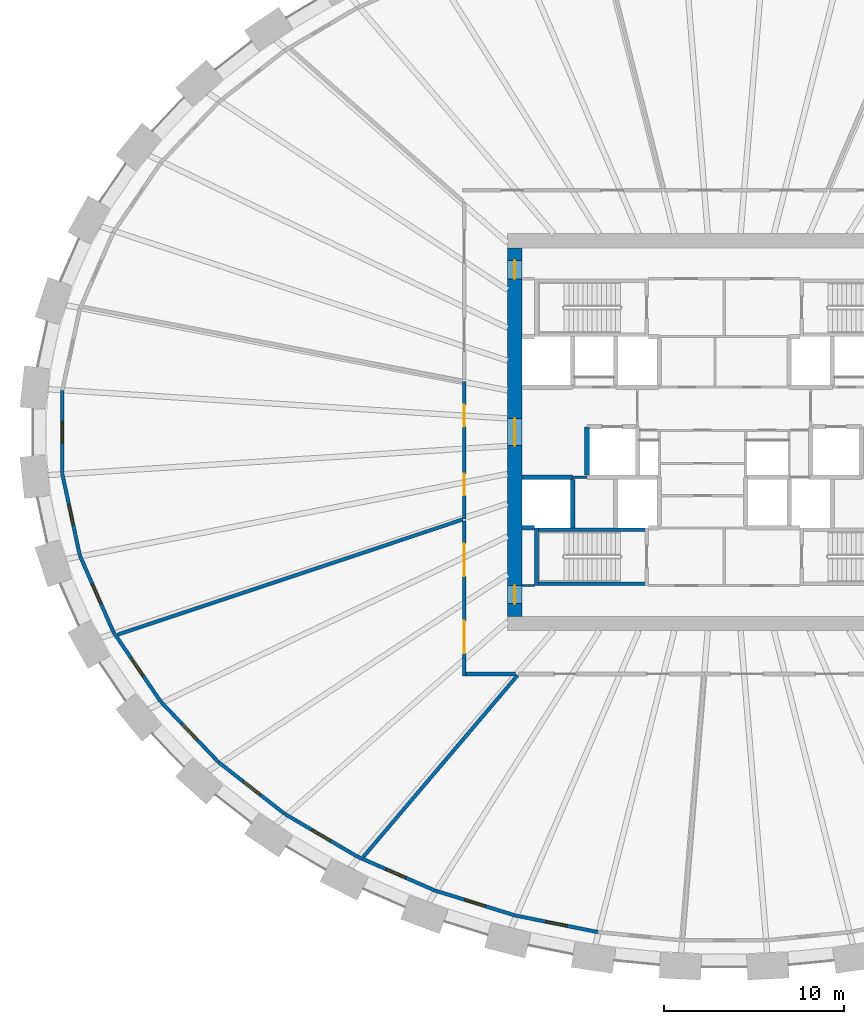
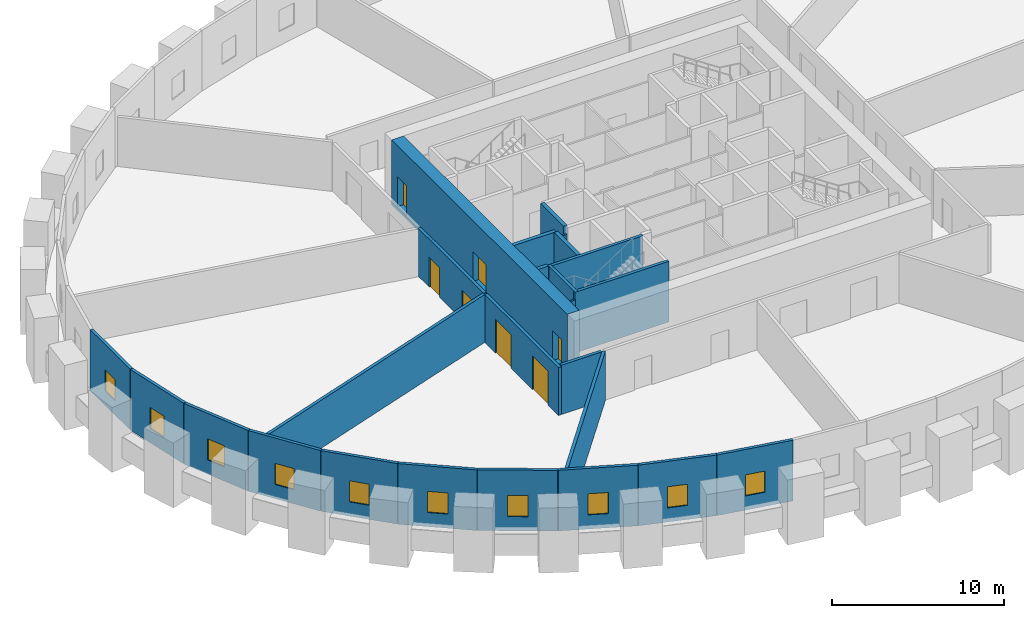
# One storey, part 3 of 9: 25 walls, 10 windows, 7 doors, 17 openings.
"""IFC4 building model written with IfcOpenShell, lengths in metres."""

from ifc_helpers import new_model, si_unit, direction, frame, frame_2d, origin, place, context, subcontext, project, spatial, rectangle, extrude, source, transform, mapped, material, layer, layer_set, type_object, element, fill, save


model = new_model("IFC4")

# Units and contexts
model_context = context("Model", 3, precision=1e-05, world=origin(), true_north=direction((0.0, 1.0)))
body_context = subcontext(model_context, "Body", "Model", "MODEL_VIEW")
ifc_project = project(units=[si_unit("LENGTHUNIT", "METRE"), si_unit("AREAUNIT", "SQUARE_METRE"), si_unit("VOLUMEUNIT", "CUBIC_METRE"), si_unit("PLANEANGLEUNIT", "RADIAN"), si_unit("MASSUNIT", "GRAM", prefix="KILO")], contexts=[model_context])

# Site, building, storey
site_placement = place(None, origin())
site = spatial("IfcSite", under=ifc_project, at=site_placement, CompositionType="ELEMENT")
building_placement = place(site_placement, origin())
building = spatial("IfcBuilding", under=site, at=building_placement, Name="Embergate Tower", CompositionType="ELEMENT")
storey_placement = place(building_placement, frame((0.0, 0.0, 147.60009765625)))
storey = spatial("IfcBuildingStorey", under=building, at=storey_placement, Name="L32", CompositionType="ELEMENT", Elevation=147.60009765625)

# Wall, openings, doors
ifc_material_1 = material(Name="Concrete C70", Category="concrete")
ifc_layer_1 = layer(ifc_material_1, 0.800048828125)
ifc_layer_set_1 = layer_set([ifc_layer_1], Name="Concrete C70")
wall_type_1 = type_object("IfcWallType", Name="Core outer wall C70 800", PredefinedType="SHEAR", material=ifc_layer_set_1)
shared_shape_1 = source(origin(), body_context, "Body", "SweptSolid", [
    extrude(rectangle(XDim=20.39990234375, YDim=0.800048828125, at=frame_2d((10.199951171875, 0.0))), origin(), (0.0, 0.0, 1.0), 4.599853515625),
])
wall_1_placement = place(storey_placement, frame((-11.60009765625, -10.199951171875, -0.300048828125), z_axis=(0.0, 0.0, 1.0), x_axis=(0.0, 1.0, 0.0)))
wall_1 = element("IfcWall", 1, at=wall_1_placement, inside=storey, type_object=wall_type_1, Name="CW-L32-W", PredefinedType="SHEAR", context=body_context, shape_type="MappedRepresentation", body=[
    mapped(shared_shape_1, transform((0.0, 0.0, 0.0))),
])
shared_shape_2 = source(origin(), body_context, "Body", "SweptSolid", [
    extrude(rectangle(XDim=1.0, YDim=2.10009765625, at=frame_2d((0.5, 1.050048828125))), frame((0.0, 0.409912109375, 0.0), z_axis=(0.0, -1.0, 0.0), x_axis=(1.0, 0.0, 0.0)), (0.0, 0.0, 1.0), 0.820068359375),
])
opening_1_placement = place(wall_1_placement, frame((18.699951171875, 0.0, 0.300048828125)))
opening_1 = element("IfcOpeningElement", 2, at=opening_1_placement, cuts=wall_1, Name="Opening IF-1d", PredefinedType="OPENING", context=body_context, shape_type="MappedRepresentation", body=[
    mapped(shared_shape_2, transform((0.0, 0.0, 0.0))),
])
opening_2_placement = place(wall_1_placement, frame((0.699951171875, 0.0, 0.300048828125)))
opening_2 = element("IfcOpeningElement", 3, at=opening_2_placement, cuts=wall_1, Name="Opening IF-1d", PredefinedType="OPENING", context=body_context, shape_type="MappedRepresentation", body=[
    mapped(shared_shape_2, transform((0.0, 0.0, 0.0))),
])
shared_shape_3 = source(origin(), body_context, "Body", "SweptSolid", [
    extrude(rectangle(XDim=1.5, YDim=2.10009765625, at=frame_2d((0.75, 1.050048828125))), frame((0.0, 0.409912109375, 0.0), z_axis=(0.0, -1.0, 0.0), x_axis=(1.0, 0.0, 0.0)), (0.0, 0.0, 1.0), 0.820068359375),
])
opening_3_placement = place(wall_1_placement, frame((9.449951171875, 0.0, 0.300048828125)))
opening_3 = element("IfcOpeningElement", 4, at=opening_3_placement, cuts=wall_1, Name="Opening IF-3", PredefinedType="OPENING", context=body_context, shape_type="MappedRepresentation", body=[
    mapped(shared_shape_3, transform((0.0, 0.0, 0.0))),
])
ifc_material_2 = material(Name="Lobby fire door pair 1500")
door_type_1 = type_object("IfcDoorType", Name="Lobby fire door pair 1500", OperationType="DOUBLE_DOOR_SINGLE_SWING", PredefinedType="DOOR", material=ifc_material_2)
shared_shape_4 = source(origin(), body_context, "Body", "SweptSolid", [
    extrude(rectangle(XDim=1.5, YDim=2.10009765625, at=frame_2d((0.75, 1.050048828125))), frame((0.0, 0.02490234375, 0.0), z_axis=(0.0, -1.0, 0.0), x_axis=(1.0, 0.0, 0.0)), (0.0, 0.0, 1.0), 0.050048828125),
])
door_1_placement = place(opening_3_placement, origin())
door_1 = element("IfcDoor", 5, at=door_1_placement, inside=storey, type_object=door_type_1, Name="IF-3 door", OperationType="DOUBLE_DOOR_SINGLE_SWING", OverallHeight=2.10009765625, OverallWidth=1.5, PredefinedType="DOOR", context=body_context, shape_type="MappedRepresentation", body=[
    mapped(shared_shape_4, transform((0.0, 0.0, 0.0))),
])
fill(opening_3, door_1)
ifc_material_3 = material(Name="Escape fire door 1000")
door_type_2 = type_object("IfcDoorType", Name="Escape fire door 1000", OperationType="SINGLE_SWING_LEFT", PredefinedType="DOOR", material=ifc_material_3)
shared_shape_5 = source(origin(), body_context, "Body", "SweptSolid", [
    extrude(rectangle(XDim=1.0, YDim=2.10009765625, at=frame_2d((0.5, 1.050048828125))), frame((0.0, 0.02490234375, 0.0), z_axis=(0.0, -1.0, 0.0), x_axis=(1.0, 0.0, 0.0)), (0.0, 0.0, 1.0), 0.050048828125),
])
door_2_placement = place(opening_1_placement, origin())
door_2 = element("IfcDoor", 6, at=door_2_placement, inside=storey, type_object=door_type_2, Name="IF-1 door", OperationType="SINGLE_SWING_RIGHT", OverallHeight=2.10009765625, OverallWidth=1.0, PredefinedType="DOOR", context=body_context, shape_type="MappedRepresentation", body=[
    mapped(shared_shape_5, transform((0.0, 0.0, 0.0))),
])
fill(opening_1, door_2)
door_3_placement = place(opening_2_placement, origin())
door_3 = element("IfcDoor", 7, at=door_3_placement, inside=storey, type_object=door_type_2, Name="IF-1 door", OperationType="SINGLE_SWING_RIGHT", OverallHeight=2.10009765625, OverallWidth=1.0, PredefinedType="DOOR", context=body_context, shape_type="MappedRepresentation", body=[
    mapped(shared_shape_5, transform((0.0, 0.0, 0.0))),
])
fill(opening_2, door_3)

# Wall, opening, window
ifc_material_4 = material(Name="Terracotta louvre cladding on insulated backing", Category="masonry")
ifc_layer_2 = layer(ifc_material_4, 0.199951171875)
ifc_layer_set_2 = layer_set([ifc_layer_2], Name="Terracotta louvre cladding on insulated backing")
wall_type_2 = type_object("IfcWallType", Name="Terracotta louvre wall", PredefinedType="SOLIDWALL", material=ifc_layer_set_2)
shared_shape_6 = source(origin(), body_context, "Body", "SweptSolid", [
    extrude(rectangle(XDim=4.60693359375, YDim=0.199951171875, at=frame_2d((2.303466796875, 0.0))), origin(), (0.0, 0.0, 1.0), 4.2998046875),
])
wall_2_placement = place(storey_placement, frame((-35.70166015625, -6.825927734375, 0.0), z_axis=(0.0, 0.0, 1.0), x_axis=(-0.210383104488, 0.977619020552, 0.0)))
wall_2 = element("IfcWall", 8, at=wall_2_placement, inside=storey, type_object=wall_type_2, Name="Louvre wall 23", PredefinedType="SOLIDWALL", context=body_context, shape_type="MappedRepresentation", body=[
    mapped(shared_shape_6, transform((0.0, 0.0, 0.0))),
])
shared_shape_7 = source(origin(), body_context, "Body", "SweptSolid", [
    extrude(rectangle(XDim=1.199951171875, YDim=1.5, at=frame_2d((0.60009765625, 0.75))), frame((0.0, 0.10986328125, 0.0), z_axis=(0.0, -1.0, 0.0), x_axis=(1.0, 0.0, 0.0)), (0.0, 0.0, 1.0), 0.219970703125),
])
opening_4_placement = place(wall_2_placement, frame((1.70361328125, 0.0, 1.0)))
opening_4 = element("IfcOpeningElement", 9, at=opening_4_placement, cuts=wall_2, Name="Opening RW", PredefinedType="OPENING", context=body_context, shape_type="MappedRepresentation", body=[
    mapped(shared_shape_7, transform((0.0, 0.0, 0.0))),
])
ifc_material_5 = material(Name="Aluminium, thermally broken, triple glazed", Category="aluminium")
window_type = type_object("IfcWindowType", Name="Refuge operable window", PartitioningType="SINGLE_PANEL", PredefinedType="WINDOW", material=ifc_material_5)
shared_shape_8 = source(origin(), body_context, "Body", "SweptSolid", [
    extrude(rectangle(XDim=1.199951171875, YDim=1.5, at=frame_2d((0.60009765625, 0.75))), frame((0.0, 0.030029296875, 0.0), z_axis=(0.0, -1.0, 0.0), x_axis=(1.0, 0.0, 0.0)), (0.0, 0.0, 1.0), 0.06005859375),
])
window_1_placement = place(opening_4_placement, origin())
window_1 = element("IfcWindow", 10, at=window_1_placement, inside=storey, type_object=window_type, Name="Refuge window 23", OverallHeight=1.5, OverallWidth=1.199951171875, PartitioningType="SINGLE_PANEL", PredefinedType="WINDOW", context=body_context, shape_type="MappedRepresentation", body=[
    mapped(shared_shape_8, transform((0.0, 0.0, 0.0))),
])
fill(opening_4, window_1)

shared_shape_9 = source(origin(), body_context, "Body", "SweptSolid", [
    extrude(rectangle(XDim=4.6142578125, YDim=0.199951171875, at=frame_2d((2.30712890625, 0.0))), origin(), (0.0, 0.0, 1.0), 4.2998046875),
])
wall_3_placement = place(storey_placement, frame((-33.84228515625, -11.07080078125, 0.0), z_axis=(0.0, 0.0, 1.0), x_axis=(-0.40163191284, 0.915801182893, 0.0)))
wall_3 = element("IfcWall", 11, at=wall_3_placement, inside=storey, type_object=wall_type_2, Name="Louvre wall 24", PredefinedType="SOLIDWALL", context=body_context, shape_type="MappedRepresentation", body=[
    mapped(shared_shape_9, transform((0.0, 0.0, 0.0))),
])
opening_5_placement = place(wall_3_placement, frame((1.70703125, 0.0, 1.0)))
opening_5 = element("IfcOpeningElement", 12, at=opening_5_placement, cuts=wall_3, Name="Opening RW", PredefinedType="OPENING", context=body_context, shape_type="MappedRepresentation", body=[
    mapped(shared_shape_7, transform((0.0, 0.0, 0.0))),
])
window_2_placement = place(opening_5_placement, origin())
window_2 = element("IfcWindow", 13, at=window_2_placement, inside=storey, type_object=window_type, Name="Refuge window 24", OverallHeight=1.5, OverallWidth=1.199951171875, PartitioningType="SINGLE_PANEL", PredefinedType="WINDOW", context=body_context, shape_type="MappedRepresentation", body=[
    mapped(shared_shape_8, transform((0.0, 0.0, 0.0))),
])
fill(opening_5, window_2)

shared_shape_10 = source(origin(), body_context, "Body", "SweptSolid", [
    extrude(rectangle(XDim=4.623291015625, YDim=0.199951171875, at=frame_2d((2.3115234375, 0.0))), origin(), (0.0, 0.0, 1.0), 4.2998046875),
])
wall_4_placement = place(storey_placement, frame((-31.232666015625, -14.9111328125, 0.0), z_axis=(0.0, 0.0, 1.0), x_axis=(-0.562341797636, 0.826904893341, 0.0)))
wall_4 = element("IfcWall", 14, at=wall_4_placement, inside=storey, type_object=wall_type_2, Name="Louvre wall 25", PredefinedType="SOLIDWALL", context=body_context, shape_type="MappedRepresentation", body=[
    mapped(shared_shape_10, transform((0.0, 0.0, 0.0))),
])
opening_6_placement = place(wall_4_placement, frame((1.711669921875, 0.0, 1.0)))
opening_6 = element("IfcOpeningElement", 15, at=opening_6_placement, cuts=wall_4, Name="Opening RW", PredefinedType="OPENING", context=body_context, shape_type="MappedRepresentation", body=[
    mapped(shared_shape_7, transform((0.0, 0.0, 0.0))),
])
window_3_placement = place(opening_6_placement, origin())
window_3 = element("IfcWindow", 16, at=window_3_placement, inside=storey, type_object=window_type, Name="Refuge window 25", OverallHeight=1.5, OverallWidth=1.199951171875, PartitioningType="SINGLE_PANEL", PredefinedType="WINDOW", context=body_context, shape_type="MappedRepresentation", body=[
    mapped(shared_shape_8, transform((0.0, 0.0, 0.0))),
])
fill(opening_6, window_3)

shared_shape_11 = source(origin(), body_context, "Body", "SweptSolid", [
    extrude(rectangle(XDim=4.63232421875, YDim=0.199951171875, at=frame_2d((2.316162109375, 0.0))), origin(), (0.0, 0.0, 1.0), 4.2998046875),
])
wall_5_placement = place(storey_placement, frame((-28.023193359375, -18.27880859375, 0.0), z_axis=(0.0, 0.0, 1.0), x_axis=(-0.690148517333, 0.723667758037, 0.0)))
wall_5 = element("IfcWall", 17, at=wall_5_placement, inside=storey, type_object=wall_type_2, Name="Louvre wall 26", PredefinedType="SOLIDWALL", context=body_context, shape_type="MappedRepresentation", body=[
    mapped(shared_shape_11, transform((0.0, 0.0, 0.0))),
])
opening_7_placement = place(wall_5_placement, frame((1.716064453125, 0.0, 1.0)))
opening_7 = element("IfcOpeningElement", 18, at=opening_7_placement, cuts=wall_5, Name="Opening RW", PredefinedType="OPENING", context=body_context, shape_type="MappedRepresentation", body=[
    mapped(shared_shape_7, transform((0.0, 0.0, 0.0))),
])
window_4_placement = place(opening_7_placement, origin())
window_4 = element("IfcWindow", 19, at=window_4_placement, inside=storey, type_object=window_type, Name="Refuge window 26", OverallHeight=1.5, OverallWidth=1.199951171875, PartitioningType="SINGLE_PANEL", PredefinedType="WINDOW", context=body_context, shape_type="MappedRepresentation", body=[
    mapped(shared_shape_8, transform((0.0, 0.0, 0.0))),
])
fill(opening_7, window_4)

shared_shape_12 = source(origin(), body_context, "Body", "SweptSolid", [
    extrude(rectangle(XDim=4.639892578125, YDim=0.199951171875, at=frame_2d((2.31982421875, 0.0))), origin(), (0.0, 0.0, 1.0), 4.2998046875),
])
wall_6_placement = place(storey_placement, frame((-24.350830078125, -21.14697265625, 0.0), z_axis=(0.0, 0.0, 1.0), x_axis=(-0.788322630582, 0.615262082459, 0.0)))
wall_6 = element("IfcWall", 20, at=wall_6_placement, inside=storey, type_object=wall_type_2, Name="Louvre wall 27", PredefinedType="SOLIDWALL", context=body_context, shape_type="MappedRepresentation", body=[
    mapped(shared_shape_12, transform((0.0, 0.0, 0.0))),
])
opening_8_placement = place(wall_6_placement, frame((1.719970703125, 0.0, 1.0)))
opening_8 = element("IfcOpeningElement", 21, at=opening_8_placement, cuts=wall_6, Name="Opening RW", PredefinedType="OPENING", context=body_context, shape_type="MappedRepresentation", body=[
    mapped(shared_shape_7, transform((0.0, 0.0, 0.0))),
])
window_5_placement = place(opening_8_placement, origin())
window_5 = element("IfcWindow", 22, at=window_5_placement, inside=storey, type_object=window_type, Name="Refuge window 27", OverallHeight=1.5, OverallWidth=1.199951171875, PartitioningType="SINGLE_PANEL", PredefinedType="WINDOW", context=body_context, shape_type="MappedRepresentation", body=[
    mapped(shared_shape_8, transform((0.0, 0.0, 0.0))),
])
fill(opening_8, window_5)

shared_shape_13 = source(origin(), body_context, "Body", "SweptSolid", [
    extrude(rectangle(XDim=4.64599609375, YDim=0.199951171875, at=frame_2d((2.322998046875, 0.0))), origin(), (0.0, 0.0, 1.0), 4.2998046875),
])
wall_7_placement = place(storey_placement, frame((-20.329345703125, -23.5126953125, 0.0), z_axis=(0.0, 0.0, 1.0), x_axis=(-0.86207197338, 0.506785864753, 0.0)))
wall_7 = element("IfcWall", 23, at=wall_7_placement, inside=storey, type_object=wall_type_2, Name="Louvre wall 28", PredefinedType="SOLIDWALL", context=body_context, shape_type="MappedRepresentation", body=[
    mapped(shared_shape_13, transform((0.0, 0.0, 0.0))),
])
opening_9_placement = place(wall_7_placement, frame((1.722900390625, 0.0, 1.0)))
opening_9 = element("IfcOpeningElement", 24, at=opening_9_placement, cuts=wall_7, Name="Opening RW", PredefinedType="OPENING", context=body_context, shape_type="MappedRepresentation", body=[
    mapped(shared_shape_7, transform((0.0, 0.0, 0.0))),
])
window_6_placement = place(opening_9_placement, origin())
window_6 = element("IfcWindow", 25, at=window_6_placement, inside=storey, type_object=window_type, Name="Refuge window 28", OverallHeight=1.5, OverallWidth=1.199951171875, PartitioningType="SINGLE_PANEL", PredefinedType="WINDOW", context=body_context, shape_type="MappedRepresentation", body=[
    mapped(shared_shape_8, transform((0.0, 0.0, 0.0))),
])
fill(opening_9, window_6)

shared_shape_14 = source(origin(), body_context, "Body", "SweptSolid", [
    extrude(rectangle(XDim=4.650634765625, YDim=0.199951171875, at=frame_2d((2.3251953125, 0.0))), origin(), (0.0, 0.0, 1.0), 4.2998046875),
])
wall_8_placement = place(storey_placement, frame((-16.050537109375, -25.385009765625, 0.0), z_axis=(0.0, 0.0, 1.0), x_axis=(-0.916228406461, 0.400656345506, 0.0)))
wall_8 = element("IfcWall", 26, at=wall_8_placement, inside=storey, type_object=wall_type_2, Name="Louvre wall 29", PredefinedType="SOLIDWALL", context=body_context, shape_type="MappedRepresentation", body=[
    mapped(shared_shape_14, transform((0.0, 0.0, 0.0))),
])
opening_10_placement = place(wall_8_placement, frame((1.725341796875, 0.0, 1.0)))
opening_10 = element("IfcOpeningElement", 27, at=opening_10_placement, cuts=wall_8, Name="Opening RW", PredefinedType="OPENING", context=body_context, shape_type="MappedRepresentation", body=[
    mapped(shared_shape_7, transform((0.0, 0.0, 0.0))),
])
window_7_placement = place(opening_10_placement, origin())
window_7 = element("IfcWindow", 28, at=window_7_placement, inside=storey, type_object=window_type, Name="Refuge window 29", OverallHeight=1.5, OverallWidth=1.199951171875, PartitioningType="SINGLE_PANEL", PredefinedType="WINDOW", context=body_context, shape_type="MappedRepresentation", body=[
    mapped(shared_shape_8, transform((0.0, 0.0, 0.0))),
])
fill(opening_10, window_7)

shared_shape_15 = source(origin(), body_context, "Body", "SweptSolid", [
    extrude(rectangle(XDim=4.654052734375, YDim=0.199951171875, at=frame_2d((2.3271484375, 0.0))), origin(), (0.0, 0.0, 1.0), 4.2998046875),
])
wall_9_placement = place(storey_placement, frame((-11.58837890625, -26.77587890625, 0.0), z_axis=(0.0, 0.0, 1.0), x_axis=(-0.954775397465, 0.297328001364, 0.0)))
wall_9 = element("IfcWall", 29, at=wall_9_placement, inside=storey, type_object=wall_type_2, Name="Louvre wall 30", PredefinedType="SOLIDWALL", context=body_context, shape_type="MappedRepresentation", body=[
    mapped(shared_shape_15, transform((0.0, 0.0, 0.0))),
])
opening_11_placement = place(wall_9_placement, frame((1.72705078125, 0.0, 1.0)))
opening_11 = element("IfcOpeningElement", 30, at=opening_11_placement, cuts=wall_9, Name="Opening RW", PredefinedType="OPENING", context=body_context, shape_type="MappedRepresentation", body=[
    mapped(shared_shape_7, transform((0.0, 0.0, 0.0))),
])
window_8_placement = place(opening_11_placement, origin())
window_8 = element("IfcWindow", 31, at=window_8_placement, inside=storey, type_object=window_type, Name="Refuge window 30", OverallHeight=1.5, OverallWidth=1.199951171875, PartitioningType="SINGLE_PANEL", PredefinedType="WINDOW", context=body_context, shape_type="MappedRepresentation", body=[
    mapped(shared_shape_8, transform((0.0, 0.0, 0.0))),
])
fill(opening_11, window_8)

shared_shape_16 = source(origin(), body_context, "Body", "SweptSolid", [
    extrude(rectangle(XDim=4.656005859375, YDim=0.199951171875, at=frame_2d((2.328125, 0.0))), origin(), (0.0, 0.0, 1.0), 4.2998046875),
])
wall_10_placement = place(storey_placement, frame((-7.00390625, -27.6962890625, 0.0), z_axis=(0.0, 0.0, 1.0), x_axis=(-0.980477688028, 0.196630372218, 0.0)))
wall_10 = element("IfcWall", 32, at=wall_10_placement, inside=storey, type_object=wall_type_2, Name="Louvre wall 31", PredefinedType="SOLIDWALL", context=body_context, shape_type="MappedRepresentation", body=[
    mapped(shared_shape_16, transform((0.0, 0.0, 0.0))),
])
opening_12_placement = place(wall_10_placement, frame((1.72802734375, 0.0, 1.0)))
opening_12 = element("IfcOpeningElement", 33, at=opening_12_placement, cuts=wall_10, Name="Opening RW", PredefinedType="OPENING", context=body_context, shape_type="MappedRepresentation", body=[
    mapped(shared_shape_7, transform((0.0, 0.0, 0.0))),
])
window_9_placement = place(opening_12_placement, origin())
window_9 = element("IfcWindow", 34, at=window_9_placement, inside=storey, type_object=window_type, Name="Refuge window 31", OverallHeight=1.5, OverallWidth=1.199951171875, PartitioningType="SINGLE_PANEL", PredefinedType="WINDOW", context=body_context, shape_type="MappedRepresentation", body=[
    mapped(shared_shape_8, transform((0.0, 0.0, 0.0))),
])
fill(opening_12, window_9)

shared_shape_17 = source(origin(), body_context, "Body", "SweptSolid", [
    extrude(rectangle(XDim=4.6044921875, YDim=0.199951171875, at=frame_2d((2.30224609375, 0.0))), origin(), (0.0, 0.0, 1.0), 4.2998046875),
])
wall_11_placement = place(storey_placement, frame((-36.673095703125, -2.30224609375, 0.0), z_axis=(0.0, 0.0, 1.0), x_axis=(0.0, 1.0, 0.0)))
wall_11 = element("IfcWall", 35, at=wall_11_placement, inside=storey, type_object=wall_type_2, Name="Louvre wall 22", PredefinedType="SOLIDWALL", context=body_context, shape_type="MappedRepresentation", body=[
    mapped(shared_shape_17, transform((0.0, 0.0, 0.0))),
])
opening_13_placement = place(wall_11_placement, frame((1.7021484375, 0.0, 1.0)))
opening_13 = element("IfcOpeningElement", 36, at=opening_13_placement, cuts=wall_11, Name="Opening RW", PredefinedType="OPENING", context=body_context, shape_type="MappedRepresentation", body=[
    mapped(shared_shape_7, transform((0.0, 0.0, 0.0))),
])
window_10_placement = place(opening_13_placement, origin())
window_10 = element("IfcWindow", 37, at=window_10_placement, inside=storey, type_object=window_type, Name="Refuge window 22", OverallHeight=1.5, OverallWidth=1.199951171875, PartitioningType="SINGLE_PANEL", PredefinedType="WINDOW", context=body_context, shape_type="MappedRepresentation", body=[
    mapped(shared_shape_8, transform((0.0, 0.0, 0.0))),
])
fill(opening_13, window_10)

# Walls
ifc_material_6 = material(Name="Concrete C50", Category="concrete")
ifc_layer_3 = layer(ifc_material_6, 0.25)
ifc_layer_set_3 = layer_set([ifc_layer_3], Name="Concrete C50")
wall_type_3 = type_object("IfcWallType", Name="Hoistway wall reinforced concrete 250", PredefinedType="SHEAR", material=ifc_layer_set_3)
shared_shape_18 = source(origin(), body_context, "Body", "SweptSolid", [
    extrude(rectangle(XDim=2.675048828125, YDim=0.25, at=frame_2d((1.33740234375, 0.0))), origin(), (0.0, 0.0, 1.0), 4.2998046875),
])
wall_12_placement = place(storey_placement, frame((-7.60009765625, 0.300048828125, 0.0), z_axis=(0.0, 0.0, 1.0), x_axis=(0.0, -1.0, 0.0)))
element("IfcWall", 38, at=wall_12_placement, inside=storey, type_object=wall_type_3, Name="HW-1 wall", PredefinedType="SHEAR", context=body_context, shape_type="MappedRepresentation", body=[
    mapped(shared_shape_18, transform((0.0, 0.0, 0.0))),
])
ifc_layer_4 = layer(ifc_material_6, 0.199951171875)
ifc_layer_set_4 = layer_set([ifc_layer_4], Name="Concrete C50")
wall_type_4 = type_object("IfcWallType", Name="Stair enclosure wall reinforced concrete 250", PredefinedType="SHEAR", material=ifc_layer_set_4)
shared_shape_19 = source(origin(), body_context, "Body", "SweptSolid", [
    extrude(rectangle(XDim=6.300048828125, YDim=0.199951171875, at=frame_2d((3.14990234375, 0.0))), origin(), (0.0, 0.0, 1.0), 4.2998046875),
])
for number, where, z_axis, x_axis, name in (
    (39, (-10.5, -5.39990234375, 0.0), (0.0, 0.0, 1.0), (1.0, 0.0, 0.0), "SE-1 wall"),
    (40, (-10.5, -8.39990234375, 0.0), (0.0, 0.0, 1.0), (1.0, 0.0, 0.0), "SE-1 wall"),
):
    element("IfcWall", number, at=place(storey_placement, frame(where, z_axis=z_axis, x_axis=x_axis)), inside=storey, type_object=wall_type_4, Name=name, PredefinedType="SHEAR", context=body_context, shape_type="MappedRepresentation", body=[
        mapped(shared_shape_19, transform((0.0, 0.0, 0.0))),
    ])
shared_shape_20 = source(origin(), body_context, "Body", "SweptSolid", [
    extrude(rectangle(XDim=2.800048828125, YDim=0.25, at=frame_2d((1.39990234375, 0.0))), origin(), (0.0, 0.0, 1.0), 4.2998046875),
])
wall_13_placement = place(storey_placement, frame((-8.39990234375, -2.5, 0.0), z_axis=(0.0, 0.0, 1.0), x_axis=(-1.0, 0.0, 0.0)))
element("IfcWall", 41, at=wall_13_placement, inside=storey, type_object=wall_type_3, Name="HW-1 wall", PredefinedType="SHEAR", context=body_context, shape_type="MappedRepresentation", body=[
    mapped(shared_shape_20, transform((0.0, 0.0, 0.0))),
])
shared_shape_21 = source(origin(), body_context, "Body", "SweptSolid", [
    extrude(rectangle(XDim=3.196044921875, YDim=0.199951171875, at=frame_2d((1.59814453125, 0.0))), origin(), (0.0, 0.0, 1.0), 4.2998046875),
])
wall_14_placement = place(storey_placement, frame((-10.39990234375, -5.302001953125, 0.0), z_axis=(0.0, 0.0, 1.0), x_axis=(0.0, -1.0, 0.0)))
element("IfcWall", 42, at=wall_14_placement, inside=storey, type_object=wall_type_4, Name="SE-1 wall", PredefinedType="SHEAR", context=body_context, shape_type="MappedRepresentation", body=[
    mapped(shared_shape_21, transform((0.0, 0.0, 0.0))),
])
shared_shape_22 = source(origin(), body_context, "Body", "SweptSolid", [
    extrude(rectangle(XDim=0.697998046875, YDim=0.25, at=frame_2d((0.34912109375, 0.0))), origin(), (0.0, 0.0, 1.0), 4.2998046875),
])
wall_15_placement = place(storey_placement, frame((-11.199951171875, -5.300048828125, 0.0), z_axis=(0.0, 0.0, 1.0), x_axis=(1.0, 0.0, 0.0)))
element("IfcWall", 43, at=wall_15_placement, inside=storey, type_object=wall_type_3, Name="HW-1 wall", PredefinedType="SHEAR", context=body_context, shape_type="MappedRepresentation", body=[
    mapped(shared_shape_22, transform((0.0, 0.0, 0.0))),
])
shared_shape_23 = source(origin(), body_context, "Body", "SweptSolid", [
    extrude(rectangle(XDim=2.671142578125, YDim=0.25, at=frame_2d((1.33544921875, 0.0))), origin(), (0.0, 0.0, 1.0), 4.2998046875),
])
wall_16_placement = place(storey_placement, frame((-8.39990234375, -5.298095703125, 0.0), z_axis=(0.0, 0.0, 1.0), x_axis=(0.0, 1.0, 0.0)))
element("IfcWall", 44, at=wall_16_placement, inside=storey, type_object=wall_type_3, Name="HW-1 wall", PredefinedType="SHEAR", context=body_context, shape_type="MappedRepresentation", body=[
    mapped(shared_shape_23, transform((0.0, 0.0, 0.0))),
])
ifc_material_7 = material(Name="Core partition blockwork 120")
ifc_layer_5 = layer(ifc_material_7, 0.1201171875)
ifc_layer_set_5 = layer_set([ifc_layer_5], Name="Core partition blockwork 120")
wall_type_5 = type_object("IfcWallType", Name="Core partition blockwork 120", PredefinedType="PARTITIONING", material=ifc_layer_set_5)
shared_shape_24 = source(origin(), body_context, "Body", "SweptSolid", [
    extrude(rectangle(XDim=0.7958984375, YDim=0.1201171875, at=frame_2d((0.39794921875, 0.0))), origin(), (0.0, 0.0, 1.0), 3.7998046875),
])
wall_17_placement = place(storey_placement, frame((-8.39794921875, -2.5, 0.0), z_axis=(0.0, 0.0, 1.0), x_axis=(1.0, 0.0, 0.0)))
element("IfcWall", 45, at=wall_17_placement, inside=storey, type_object=wall_type_5, Name="IP-3 wall", PredefinedType="PARTITIONING", context=body_context, shape_type="MappedRepresentation", body=[
    mapped(shared_shape_24, transform((0.0, 0.0, 0.0))),
])
shared_shape_25 = source(origin(), body_context, "Body", "SweptSolid", [
    extrude(rectangle(XDim=0.697998046875, YDim=0.1201171875, at=frame_2d((0.34912109375, 0.0))), origin(), (0.0, 0.0, 1.0), 3.7998046875),
])
wall_18_placement = place(storey_placement, frame((-10.501953125, -8.5, 0.0), z_axis=(0.0, 0.0, 1.0), x_axis=(-1.0, 0.0, 0.0)))
element("IfcWall", 46, at=wall_18_placement, inside=storey, type_object=wall_type_5, Name="IP-3 wall", PredefinedType="PARTITIONING", context=body_context, shape_type="MappedRepresentation", body=[
    mapped(shared_shape_25, transform((0.0, 0.0, 0.0))),
])

# Wall, openings, doors
ifc_material_8 = material(Name="Blockwork, plastered", Category="masonry")
ifc_layer_6 = layer(ifc_material_8, 0.199951171875)
ifc_layer_set_6 = layer_set([ifc_layer_6], Name="Blockwork, plastered")
wall_type_6 = type_object("IfcWallType", Name="Fire partition wall 200 block", PredefinedType="PARTITIONING", material=ifc_layer_set_6)
shared_shape_26 = source(origin(), body_context, "Body", "SweptSolid", [
    extrude(rectangle(XDim=8.572021484375, YDim=0.199951171875, at=frame_2d((4.2861328125, 0.0))), origin(), (0.0, 0.0, 1.0), 3.39990234375),
])
wall_19_placement = place(storey_placement, frame((-14.39990234375, -13.5, 0.0), z_axis=(0.0, 0.0, 1.0), x_axis=(0.0, 1.0, 0.0)))
wall_19 = element("IfcWall", 47, at=wall_19_placement, inside=storey, type_object=wall_type_6, Name="Partition 001", PredefinedType="PARTITIONING", context=body_context, shape_type="MappedRepresentation", body=[
    mapped(shared_shape_26, transform((0.0, 0.0, 0.0))),
])
shared_shape_27 = source(origin(), body_context, "Body", "SweptSolid", [
    extrude(rectangle(XDim=1.800048828125, YDim=2.39990234375, at=frame_2d((0.89990234375, 1.199951171875))), frame((0.0, 0.10986328125, 0.0), z_axis=(0.0, -1.0, 0.0), x_axis=(1.0, 0.0, 0.0)), (0.0, 0.0, 1.0), 0.219970703125),
])
opening_14_placement = place(wall_19_placement, frame((1.242919921875, 0.0, 0.0)))
opening_14 = element("IfcOpeningElement", 48, at=opening_14_placement, cuts=wall_19, Name="Opening DS-189", PredefinedType="OPENING", context=body_context, shape_type="MappedRepresentation", body=[
    mapped(shared_shape_27, transform((0.0, 0.0, 0.0))),
])
opening_15_placement = place(wall_19_placement, frame((5.529052734375, 0.0, 0.0)))
opening_15 = element("IfcOpeningElement", 49, at=opening_15_placement, cuts=wall_19, Name="Opening DS-190", PredefinedType="OPENING", context=body_context, shape_type="MappedRepresentation", body=[
    mapped(shared_shape_27, transform((0.0, 0.0, 0.0))),
])
ifc_material_9 = material(Name="Timber door leaf, steel frame", Category="steel")
door_type_3 = type_object("IfcDoorType", Name="Double door 1800x2400", OperationType="DOUBLE_DOOR_SINGLE_SWING", PredefinedType="DOOR", material=ifc_material_9)
shared_shape_28 = source(origin(), body_context, "Body", "SweptSolid", [
    extrude(rectangle(XDim=1.800048828125, YDim=2.39990234375, at=frame_2d((0.89990234375, 1.199951171875))), frame((0.0, 0.02490234375, 0.0), z_axis=(0.0, -1.0, 0.0), x_axis=(1.0, 0.0, 0.0)), (0.0, 0.0, 1.0), 0.050048828125),
])
door_4_placement = place(opening_14_placement, origin())
door_4 = element("IfcDoor", 50, at=door_4_placement, inside=storey, type_object=door_type_3, Name="Door to Refuge area", OperationType="SINGLE_SWING_LEFT", OverallHeight=2.39990234375, OverallWidth=1.800048828125, PredefinedType="DOOR", context=body_context, shape_type="MappedRepresentation", body=[
    mapped(shared_shape_28, transform((0.0, 0.0, 0.0))),
])
fill(opening_14, door_4)
door_5_placement = place(opening_15_placement, origin())
door_5 = element("IfcDoor", 51, at=door_5_placement, inside=storey, type_object=door_type_3, Name="Door to Refuge area", OperationType="SINGLE_SWING_LEFT", OverallHeight=2.39990234375, OverallWidth=1.800048828125, PredefinedType="DOOR", context=body_context, shape_type="MappedRepresentation", body=[
    mapped(shared_shape_28, transform((0.0, 0.0, 0.0))),
])
fill(opening_15, door_5)

# Wall
shared_shape_29 = source(origin(), body_context, "Body", "SweptSolid", [
    extrude(rectangle(XDim=20.150634765625, YDim=0.199951171875, at=frame_2d((10.0751953125, 0.0))), origin(), (0.0, 0.0, 1.0), 3.39990234375),
])
wall_20_placement = place(storey_placement, frame((-14.4951171875, -4.840087890625, 0.0), z_axis=(0.0, 0.0, 1.0), x_axis=(-0.948540235525, -0.316656630421, 0.0)))
element("IfcWall", 52, at=wall_20_placement, inside=storey, type_object=wall_type_6, Name="Partition 002", PredefinedType="PARTITIONING", context=body_context, shape_type="MappedRepresentation", body=[
    mapped(shared_shape_29, transform((0.0, 0.0, 0.0))),
])

# Wall, openings, doors
shared_shape_30 = source(origin(), body_context, "Body", "SweptSolid", [
    extrude(rectangle(XDim=7.62109375, YDim=0.199951171875, at=frame_2d((3.810546875, 0.0))), origin(), (0.0, 0.0, 1.0), 3.39990234375),
])
wall_21_placement = place(storey_placement, frame((-14.39990234375, -4.80810546875, 0.0), z_axis=(0.0, 0.0, 1.0), x_axis=(0.0, 1.0, 0.0)))
wall_21 = element("IfcWall", 53, at=wall_21_placement, inside=storey, type_object=wall_type_6, Name="Partition 003", PredefinedType="PARTITIONING", context=body_context, shape_type="MappedRepresentation", body=[
    mapped(shared_shape_30, transform((0.0, 0.0, 0.0))),
])
shared_shape_31 = source(origin(), body_context, "Body", "SweptSolid", [
    extrude(rectangle(XDim=1.199951171875, YDim=2.10009765625, at=frame_2d((0.60009765625, 1.050048828125))), frame((0.0, 0.10986328125, 0.0), z_axis=(0.0, -1.0, 0.0), x_axis=(1.0, 0.0, 0.0)), (0.0, 0.0, 1.0), 0.219970703125),
])
opening_16_placement = place(wall_21_placement, frame((1.304931640625, 0.0, 0.0)))
opening_16 = element("IfcOpeningElement", 54, at=opening_16_placement, cuts=wall_21, Name="Opening DS-187", PredefinedType="OPENING", context=body_context, shape_type="MappedRepresentation", body=[
    mapped(shared_shape_31, transform((0.0, 0.0, 0.0))),
])
opening_17_placement = place(wall_21_placement, frame((5.115966796875, 0.0, 0.0)))
opening_17 = element("IfcOpeningElement", 55, at=opening_17_placement, cuts=wall_21, Name="Opening DS-188", PredefinedType="OPENING", context=body_context, shape_type="MappedRepresentation", body=[
    mapped(shared_shape_31, transform((0.0, 0.0, 0.0))),
])
door_type_4 = type_object("IfcDoorType", Name="Plant door 1200x2100", OperationType="SINGLE_SWING_LEFT", PredefinedType="DOOR", material=ifc_material_9)
shared_shape_32 = source(origin(), body_context, "Body", "SweptSolid", [
    extrude(rectangle(XDim=1.199951171875, YDim=2.10009765625, at=frame_2d((0.60009765625, 1.050048828125))), frame((0.0, 0.02490234375, 0.0), z_axis=(0.0, -1.0, 0.0), x_axis=(1.0, 0.0, 0.0)), (0.0, 0.0, 1.0), 0.050048828125),
])
door_6_placement = place(opening_16_placement, origin())
door_6 = element("IfcDoor", 56, at=door_6_placement, inside=storey, type_object=door_type_4, Name="Door to Air handling plant room", OperationType="SINGLE_SWING_LEFT", OverallHeight=2.10009765625, OverallWidth=1.199951171875, PredefinedType="DOOR", context=body_context, shape_type="MappedRepresentation", body=[
    mapped(shared_shape_32, transform((0.0, 0.0, 0.0))),
])
fill(opening_16, door_6)
door_7_placement = place(opening_17_placement, origin())
door_7 = element("IfcDoor", 57, at=door_7_placement, inside=storey, type_object=door_type_4, Name="Door to Air handling plant room", OperationType="SINGLE_SWING_LEFT", OverallHeight=2.10009765625, OverallWidth=1.199951171875, PredefinedType="DOOR", context=body_context, shape_type="MappedRepresentation", body=[
    mapped(shared_shape_32, transform((0.0, 0.0, 0.0))),
])
fill(opening_17, door_7)

# Walls
shared_shape_33 = source(origin(), body_context, "Body", "SweptSolid", [
    extrude(rectangle(XDim=13.19482421875, YDim=0.199951171875, at=frame_2d((6.597412109375, 0.0))), origin(), (0.0, 0.0, 1.0), 3.5),
])
wall_22_placement = place(storey_placement, frame((-11.449951171875, -13.47607421875, 0.0), z_axis=(0.0, 0.0, 1.0), x_axis=(-0.647448063196, -0.762109575759, 0.0)))
element("IfcWall", 58, at=wall_22_placement, inside=storey, type_object=wall_type_6, Name="Partition 008", PredefinedType="PARTITIONING", context=body_context, shape_type="MappedRepresentation", body=[
    mapped(shared_shape_33, transform((0.0, 0.0, 0.0))),
])
shared_shape_34 = source(origin(), body_context, "Body", "SweptSolid", [
    extrude(rectangle(XDim=2.72509765625, YDim=0.199951171875, at=frame_2d((1.362548828125, 0.0))), origin(), (0.0, 0.0, 1.0), 3.5),
])
wall_23_placement = place(storey_placement, frame((-11.574951171875, -13.39990234375, 0.0), z_axis=(0.0, 0.0, 1.0), x_axis=(-1.0, 0.0, 0.0)))
element("IfcWall", 59, at=wall_23_placement, inside=storey, type_object=wall_type_6, Name="Partition 009", PredefinedType="PARTITIONING", context=body_context, shape_type="MappedRepresentation", body=[
    mapped(shared_shape_34, transform((0.0, 0.0, 0.0))),
])

save(model, "model.ifc")
